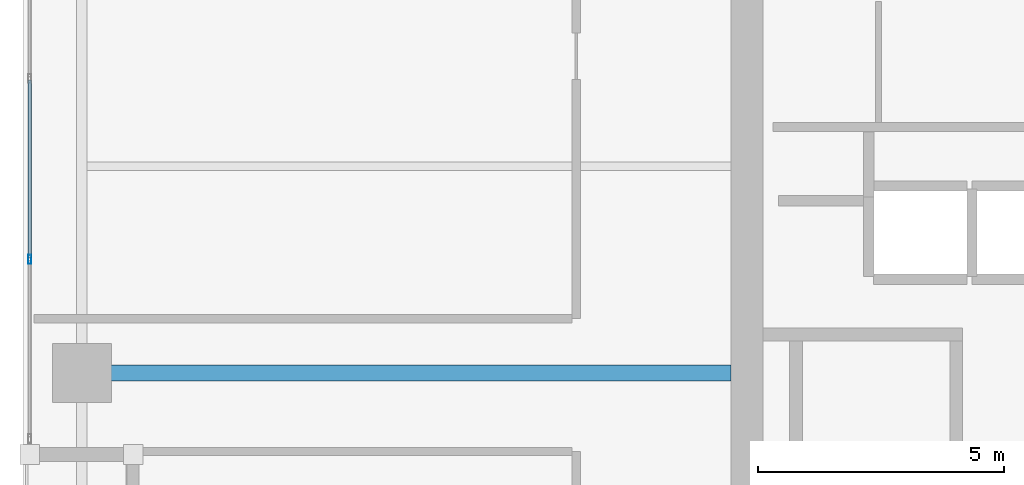
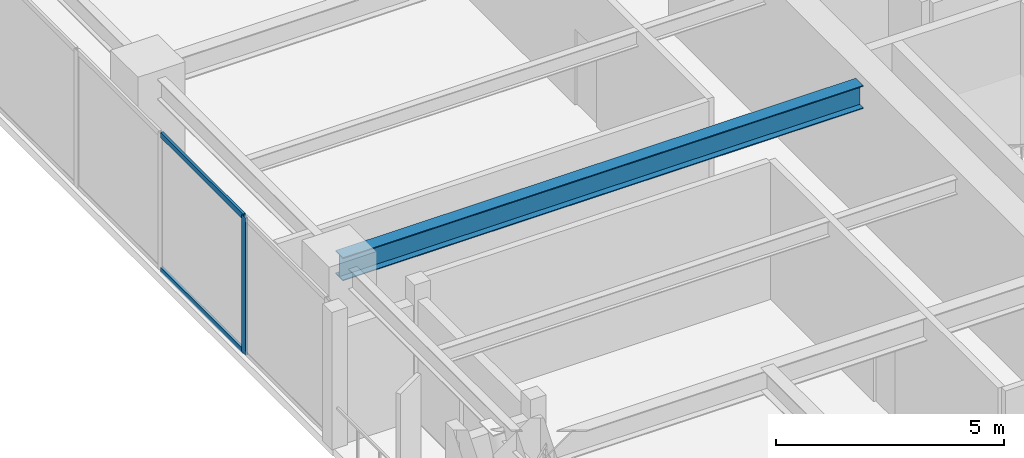
# One storey, part 4 of 30: 3 members, 1 beam, 1 element without a shape of its own.
"""IFC4 building model written with IfcOpenShell, lengths in metres."""

import ifcopenshell
import ifcopenshell.guid

model = None  # the IFC model being written
_history = None  # IfcOwnerHistory: only IFC2X3 demands one
_inside = {}  # id of a spatial element -> (the spatial element, [elements in it])
_under = {}  # id of a project, library or spatial element -> (it, [spatial elements below it])
_declared = {}  # id of a project -> (the project, [libraries it declares])
_typed = {}  # id of a type object -> (the type object, [elements of that type])
_made_of = {}  # id of a material, layer set ... -> (it, [elements and type objects made of it])


def new_model(schema):
    """Start an empty IFC model of exactly this schema.

    Asked for "IFC4X3", IfcOpenShell would pick the latest addendum, in which some entities
    have other attributes; the version numbers below select the first issue.
    IFC2X3 requires an IfcOwnerHistory on every rooted entity: one is made here for all.
    """
    global model, _history
    if schema == "IFC4X3":
        model = ifcopenshell.file(schema_version=(4, 3, 0, 0))
    else:
        model = ifcopenshell.file(schema=schema)
    _inside.clear()
    _under.clear()
    _declared.clear()
    _typed.clear()
    _made_of.clear()
    _history = None
    if model.schema == "IFC2X3":
        org = make("IfcOrganization", Name="unknown")
        user = make(
            "IfcPersonAndOrganization",
            ThePerson=make("IfcPerson", FamilyName="unknown"),
            TheOrganization=org,
        )
        app = make(
            "IfcApplication",
            ApplicationDeveloper=org,
            Version="unknown",
            ApplicationFullName="unknown",
            ApplicationIdentifier="unknown",
        )
        _history = make(
            "IfcOwnerHistory",
            OwningUser=user,
            OwningApplication=app,
            ChangeAction="ADDED",
            CreationDate=0,
        )
    return model


def make(cls, **values):
    """One entity of the class cls with the attributes given. An attribute that is None is left unset."""
    return model.create_entity(
        cls, **{name: value for name, value in values.items() if value is not None}
    )


def rooted(cls, **values):
    """An entity with a GlobalId (a new one), such as an element, a storey or a relation."""
    return make(cls, GlobalId=ifcopenshell.guid.new(), OwnerHistory=_history, **values)


def si_unit(unit_type, name, prefix=None):
    """IfcSIUnit, for example si_unit("LENGTHUNIT", "METRE", prefix="MILLI")."""
    return make("IfcSIUnit", UnitType=unit_type, Prefix=prefix, Name=name)


def assignment(units):
    """IfcUnitAssignment: the units of a project."""
    return None if units is None else make("IfcUnitAssignment", Units=units)


def point(xyz):
    """IfcCartesianPoint."""
    return None if xyz is None else make("IfcCartesianPoint", Coordinates=xyz)


def direction(xyz):
    """IfcDirection."""
    return None if xyz is None else make("IfcDirection", DirectionRatios=xyz)


def frame(location, z_axis=None, x_axis=None):
    """IfcAxis2Placement3D, a coordinate frame: its origin and axes. An axis left out is left unset."""
    return make(
        "IfcAxis2Placement3D",
        Location=point(location),
        Axis=direction(z_axis),
        RefDirection=direction(x_axis),
    )


def frame_2d(location, x_axis=None):
    """IfcAxis2Placement2D, a coordinate frame in the plane: its origin and x axis."""
    return make(
        "IfcAxis2Placement2D", Location=point(location), RefDirection=direction(x_axis)
    )


def origin():
    """The frame at (0, 0, 0) with its axes left unset."""
    return frame((0.0, 0.0, 0.0))


def origin_2d():
    """The frame at (0, 0) in the plane with its x axis left unset."""
    return frame_2d((0.0, 0.0))


def place(relative_to, where):
    """IfcLocalPlacement: puts the frame where relative to a parent placement (None: the world)."""
    return make(
        "IfcLocalPlacement", PlacementRelTo=relative_to, RelativePlacement=where
    )


def context(
    kind, dimensions, precision=None, world=None, true_north=None, identifier=None
):
    """IfcGeometricRepresentationContext, for example the 3D "Model" context."""
    return make(
        "IfcGeometricRepresentationContext",
        ContextIdentifier=identifier,
        ContextType=kind,
        CoordinateSpaceDimension=dimensions,
        Precision=precision,
        WorldCoordinateSystem=world,
        TrueNorth=true_north,
    )


def subcontext(parent, identifier, kind, view, scale=None):
    """IfcGeometricRepresentationSubContext, for example "Body" below "Model"."""
    return make(
        "IfcGeometricRepresentationSubContext",
        ContextIdentifier=identifier,
        ContextType=kind,
        ParentContext=parent,
        TargetScale=scale,
        TargetView=view,
    )


def project(units=None, contexts=None):
    """IfcProject with its units and contexts."""
    return rooted(
        "IfcProject",
        Name="project",
        RepresentationContexts=contexts,
        UnitsInContext=assignment(units),
    )


def spatial(cls, under=None, at=None, **own):
    """A site, building, storey or space (cls), placed at a placement, below another one or the project."""
    s = rooted(cls, ObjectPlacement=at, **own)
    if under is not None:
        _under.setdefault(under.id(), (under, []))[1].append(s)
    return s


def profile(cls, at=None, kind="AREA", **sizes):
    """A parametric profile (cls). Its sizes go by their IFC names, for example OverallWidth=200.0."""
    return make(cls, ProfileType=kind, Position=at, **sizes)


def hollow_rectangle(**sizes):
    """IfcRectangleHollowProfileDef."""
    return profile("IfcRectangleHollowProfileDef", **sizes)


def i_section(**sizes):
    """IfcIShapeProfileDef."""
    return profile("IfcIShapeProfileDef", **sizes)


def extrude(swept, where, along, depth):
    """IfcExtrudedAreaSolid: the profile swept, set in the frame where, extruded along a direction by depth."""
    return make(
        "IfcExtrudedAreaSolid",
        SweptArea=swept,
        Position=where,
        ExtrudedDirection=direction(along),
        Depth=depth,
    )


def shape(context_of_items, identifier, shape_type, items):
    """IfcShapeRepresentation: the items that make up one representation, for example the "Body"."""
    return make(
        "IfcShapeRepresentation",
        ContextOfItems=context_of_items,
        RepresentationIdentifier=identifier,
        RepresentationType=shape_type,
        Items=items,
    )


def material(Name=None, Category=None):
    """IfcMaterial."""
    return make("IfcMaterial", Name=Name, Category=Category)


def layer(
    of_material, thickness, ventilated=None, Name=None, Category=None, Priority=None
):
    """IfcMaterialLayer: one layer of a wall or slab, of a material (None: an air gap)."""
    return make(
        "IfcMaterialLayer",
        Material=of_material,
        LayerThickness=thickness,
        IsVentilated=ventilated,
        Name=Name,
        Category=Category,
        Priority=Priority,
    )


def layer_set(layers, Name=None):
    """IfcMaterialLayerSet."""
    return make("IfcMaterialLayerSet", MaterialLayers=layers, LayerSetName=Name)


def material_profile(
    of_material, cross_section, Name=None, Category=None, Priority=None
):
    """IfcMaterialProfile: a cross section and its material."""
    return make(
        "IfcMaterialProfile",
        Name=Name,
        Material=of_material,
        Profile=cross_section,
        Priority=Priority,
        Category=Category,
    )


def profile_set(profiles, Name=None, composite=None):
    """IfcMaterialProfileSet."""
    return make(
        "IfcMaterialProfileSet",
        Name=Name,
        MaterialProfiles=profiles,
        CompositeProfile=composite,
    )


def made_of(thing, what):
    """Note that an element or type object is made of a material, layer set ...; save() writes the relation."""
    if what is not None:
        _made_of.setdefault(what.id(), (what, []))[1].append(thing)
    return thing


def type_object(cls, material=None, **own):
    """A type object (cls), such as IfcWallType, which elements share."""
    return made_of(rooted(cls, **own), material)


def element(
    cls,
    number,
    at=None,
    inside=None,
    cuts=None,
    type_object=None,
    material=None,
    context=None,
    identifier="Body",
    shape_type=None,
    held_by="IfcProductDefinitionShape",
    body=None,
    shapes=None,
    **own,
):
    """One element of the class cls, such as IfcWall. Its Tag is "e" and its number.

    at: its placement. inside: the storey or other place that contains it. cuts: it is an
    opening in that element (IfcRelVoidsElement). A single representation is given by context,
    identifier, shape_type and body (its items); several are given by shapes. held_by: the class
    of the entity that holds the representations. save() writes the other relations.
    """
    e = rooted(cls, Tag="e%d" % number, ObjectPlacement=at, **own)
    if body is not None:
        shapes = [shape(context, identifier, shape_type, body)]
    if shapes is not None:
        e.Representation = make(held_by, Representations=shapes)
    if inside is not None:
        _inside.setdefault(inside.id(), (inside, []))[1].append(e)
    if cuts is not None:
        rooted(
            "IfcRelVoidsElement", RelatingBuildingElement=cuts, RelatedOpeningElement=e
        )
    if type_object is not None:
        _typed.setdefault(type_object.id(), (type_object, []))[1].append(e)
    return made_of(e, material)


def aggregate(whole, parts):
    """IfcRelAggregates: a whole, such as a stair, and the parts it consists of."""
    return rooted("IfcRelAggregates", RelatingObject=whole, RelatedObjects=parts)


def save(model, path):
    """Write the relations noted so far, then the file.

    IfcRelAggregates (storeys below a building ...), IfcRelContainedInSpatialStructure (elements
    in a storey), IfcRelDefinesByType, IfcRelAssociatesMaterial and IfcRelDeclares: one each for
    every whole, place, type object, material and project.
    """
    for whole, parts in _under.values():
        aggregate(whole, parts)
    for where, things in _inside.values():
        rooted(
            "IfcRelContainedInSpatialStructure",
            RelatedElements=things,
            RelatingStructure=where,
        )
    for kind, things in _typed.values():
        rooted("IfcRelDefinesByType", RelatedObjects=things, RelatingType=kind)
    for what, things in _made_of.values():
        rooted("IfcRelAssociatesMaterial", RelatedObjects=things, RelatingMaterial=what)
    for by, libraries in _declared.values():
        rooted("IfcRelDeclares", RelatingContext=by, RelatedDefinitions=libraries)
    model.write(path)


model = new_model("IFC4")

# Units and contexts
model_context = context("Model", 3, precision=1e-05, world=origin(), true_north=direction((0.0, 1.0)))
body_context = subcontext(model_context, "Body", "Model", "MODEL_VIEW")
ifc_project = project(units=[si_unit("LENGTHUNIT", "METRE"), si_unit("AREAUNIT", "SQUARE_METRE"), si_unit("VOLUMEUNIT", "CUBIC_METRE"), si_unit("PLANEANGLEUNIT", "RADIAN"), si_unit("MASSUNIT", "GRAM", prefix="KILO")], contexts=[model_context])

# Site, building, storey
site_placement = place(None, origin())
site = spatial("IfcSite", under=ifc_project, at=site_placement, CompositionType="ELEMENT")
building_placement = place(site_placement, origin())
building = spatial("IfcBuilding", under=site, at=building_placement, Name="Kiyonajd Concourse Tower", CompositionType="ELEMENT")
storey_placement = place(building_placement, frame((0.0, 0.0, 194.10009765625)))
storey = spatial("IfcBuildingStorey", under=building, at=storey_placement, Name="L49", CompositionType="ELEMENT", Elevation=194.10009765625)

# Beam
ifc_material_1 = material(Name="Steel ASTM A992 Grade 50", Category="steel")
ifc_material_profile_1 = material_profile(ifc_material_1, i_section(OverallWidth=0.326904296875, OverallDepth=0.6220703125, WebThickness=0.015380859375, FlangeThickness=0.0244140625, at=origin_2d()), Name="W610X195")
ifc_profile_set_1 = profile_set([ifc_material_profile_1], Name="Steel ASTM A992 Grade 50")
beam_type = type_object("IfcBeamType", Name="BM-TWR-610A", PredefinedType="BEAM", material=ifc_profile_set_1)
beam_placement = place(storey_placement, frame((19.199951171875, 36.0, 3.368896484375), z_axis=(1.0, 0.0, 0.0), x_axis=(0.0, 1.0, 0.0)))
element("IfcBeam", 1, at=beam_placement, inside=storey, type_object=beam_type, Name="L49 West Lease Girder", PredefinedType="BEAM", context=body_context, shape_type="SweptSolid", body=[
    extrude(i_section(OverallWidth=0.326904296875, OverallDepth=0.6220703125, WebThickness=0.015380859375, FlangeThickness=0.0244140625, at=origin_2d()), origin(), (0.0, 0.0, 1.0), 13.199951171875),
])

# Curtain wall, members
ifc_material_2 = material(Name="Thermally Broken Anodised Aluminium", Category="aluminium")
ifc_layer = layer(ifc_material_2, 0.179931640625)
ifc_layer_set = layer_set([ifc_layer], Name="Thermally Broken Anodised Aluminium")
curtain_wall_type = type_object("IfcCurtainWallType", Name="CW-SYS-03", PredefinedType="NOTDEFINED", material=ifc_layer_set)
curtain_wall_placement = place(storey_placement, origin())
curtain_wall = element("IfcCurtainWall", 2, at=curtain_wall_placement, inside=storey, type_object=curtain_wall_type, Name="L49 Unitised Curtain Wall CW3", PredefinedType="NOTDEFINED")
ifc_material_profile_2 = material_profile(ifc_material_2, hollow_rectangle(XDim=0.06494140625, YDim=0.179931640625, WallThickness=0.00390625, at=origin_2d()), Name="MULL-65x180")
ifc_profile_set_2 = profile_set([ifc_material_profile_2], Name="Thermally Broken Anodised Aluminium")
member_type_1 = type_object("IfcMemberType", Name="MB-CW-MULL1", PredefinedType="MULLION", material=ifc_profile_set_2)
member_1_placement = place(storey_placement, frame((18.139892578125, 38.306884765625, 0.0), z_axis=(0.0, 0.0, 1.0), x_axis=(-1.0, 0.0, 0.0)))
member_1 = element("IfcMember", 3, at=member_1_placement, type_object=member_type_1, Name="CW3 mullion 2", PredefinedType="MULLION", context=body_context, shape_type="SweptSolid", body=[
    extrude(hollow_rectangle(XDim=0.06494140625, YDim=0.179931640625, WallThickness=0.00390625, at=origin_2d()), origin(), (0.0, 0.0, 1.0), 3.679931640625),
])
ifc_material_profile_3 = material_profile(ifc_material_2, hollow_rectangle(XDim=0.06494140625, YDim=0.139892578125, WallThickness=0.00390625, at=origin_2d()), Name="TRAN-65x140")
ifc_profile_set_3 = profile_set([ifc_material_profile_3], Name="Thermally Broken Anodised Aluminium")
member_type_2 = type_object("IfcMemberType", Name="MB-CW-TRAN1", PredefinedType="USERDEFINED", material=ifc_profile_set_3)
member_2_placement = place(storey_placement, frame((18.139892578125, 38.33935546875, 0.032470703125), z_axis=(0.0, 1.0, 0.0), x_axis=(-1.0, 0.0, 0.0)))
member_2 = element("IfcMember", 4, at=member_2_placement, type_object=member_type_2, Name="CW3 transom 2.1", ObjectType="TRANSOM", PredefinedType="USERDEFINED", context=body_context, shape_type="SweptSolid", body=[
    extrude(hollow_rectangle(XDim=0.06494140625, YDim=0.139892578125, WallThickness=0.00390625, at=origin_2d()), origin(), (0.0, 0.0, 1.0), 3.612060546875),
])
member_3_placement = place(storey_placement, frame((18.139892578125, 38.33935546875, 3.6474609375), z_axis=(0.0, 1.0, 0.0), x_axis=(-1.0, 0.0, 0.0)))
member_3 = element("IfcMember", 5, at=member_3_placement, type_object=member_type_2, Name="CW3 transom 2.2", ObjectType="TRANSOM", PredefinedType="USERDEFINED", context=body_context, shape_type="SweptSolid", body=[
    extrude(hollow_rectangle(XDim=0.06494140625, YDim=0.139892578125, WallThickness=0.00390625, at=origin_2d()), origin(), (0.0, 0.0, 1.0), 3.612060546875),
])
aggregate(curtain_wall, [member_1, member_2, member_3])

save(model, "model.ifc")
